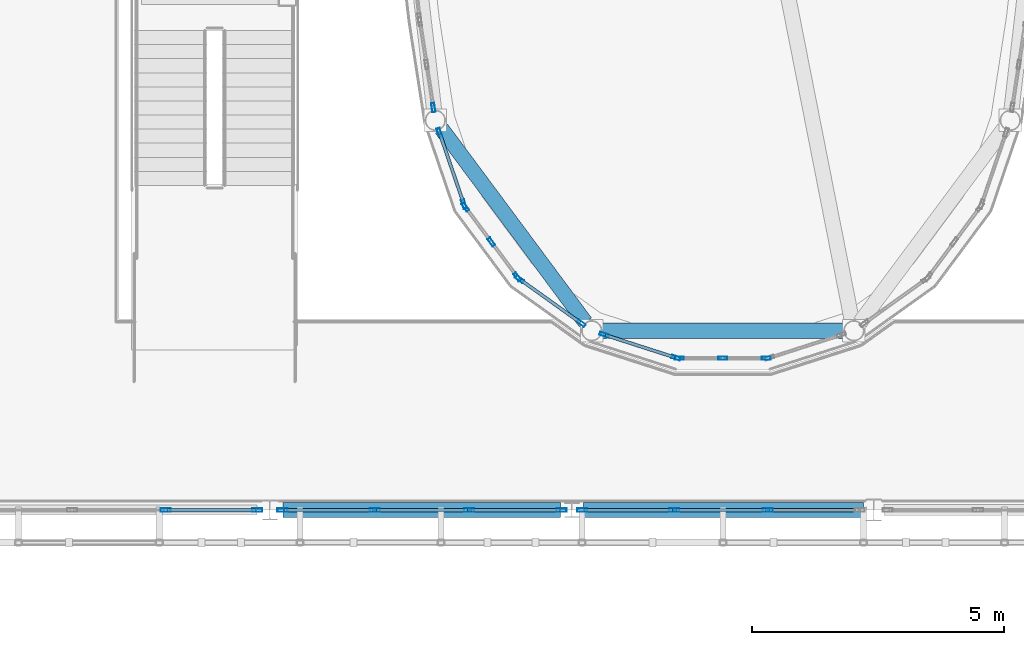
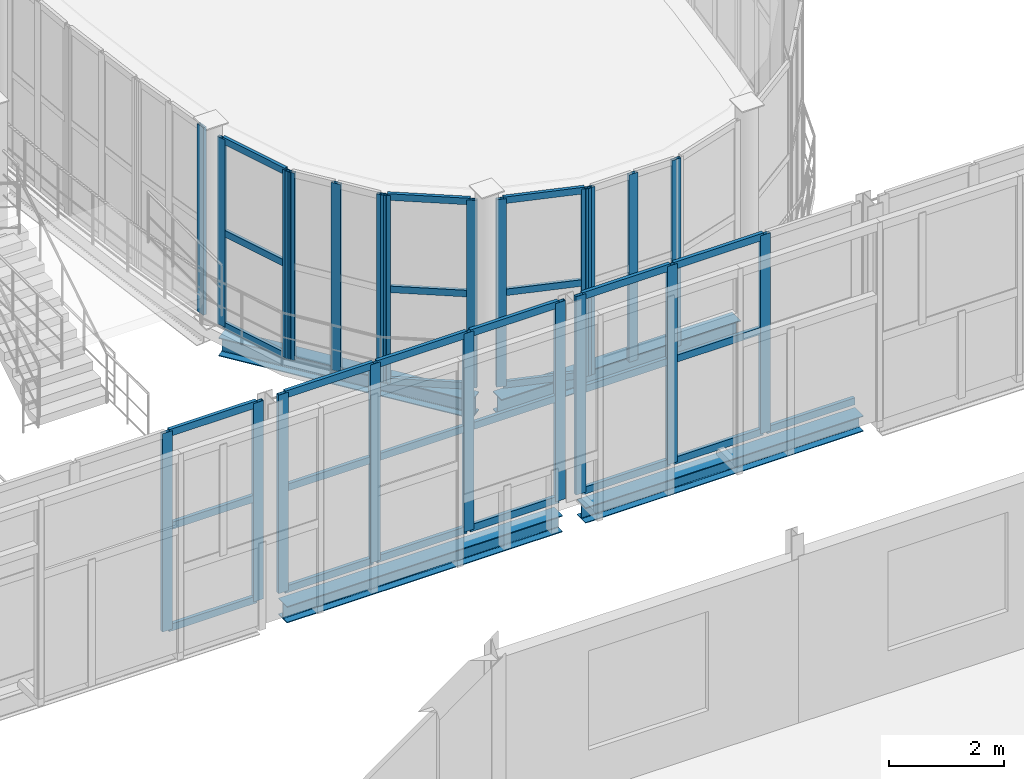
# One storey, part 32 of 121: 50 members, 4 beams, 9 elements without a shape of their own.
"""IFC4 building model written with IfcOpenShell, lengths in metres."""

from ifc_helpers import new_model, si_unit, direction, frame, origin, origin_2d, place, context, subcontext, project, spatial, hollow_rectangle, i_section, extrude, material, layer, layer_set, material_profile, profile_set, type_object, element, aggregate, save


model = new_model("IFC4")

# Units and contexts
model_context = context("Model", 3, precision=1e-05, world=origin(), true_north=direction((0.0, 1.0)))
body_context = subcontext(model_context, "Body", "Model", "MODEL_VIEW")
ifc_project = project(units=[si_unit("LENGTHUNIT", "METRE"), si_unit("AREAUNIT", "SQUARE_METRE"), si_unit("VOLUMEUNIT", "CUBIC_METRE"), si_unit("PLANEANGLEUNIT", "RADIAN"), si_unit("MASSUNIT", "GRAM", prefix="KILO")], contexts=[model_context])

# Site, building, storey
site_placement = place(None, origin())
site = spatial("IfcSite", under=ifc_project, at=site_placement, CompositionType="ELEMENT")
building_placement = place(site_placement, origin())
building = spatial("IfcBuilding", under=site, at=building_placement, Name="Vinh Khe Railworks Police Headquarters", CompositionType="ELEMENT")
storey_placement = place(building_placement, frame((0.0, 0.0, 4.800048828125)))
storey = spatial("IfcBuildingStorey", under=building, at=storey_placement, Name="L01", CompositionType="ELEMENT", Elevation=4.800048828125)

# Curtain wall, member
ifc_material_1 = material(Name="Anodised aluminium and acoustic laminated glass", Category="aluminium")
ifc_layer_1 = layer(ifc_material_1, 0.159912109375)
ifc_layer_set_1 = layer_set([ifc_layer_1], Name="Anodised aluminium and acoustic laminated glass")
curtain_wall_type_1 = type_object("IfcCurtainWallType", Name="CW-DRUM-CHORD", PredefinedType="USERDEFINED", material=ifc_layer_set_1)
curtain_wall_1_placement = place(storey_placement, origin())
curtain_wall_1 = element("IfcCurtainWall", 1, at=curtain_wall_1_placement, inside=storey, type_object=curtain_wall_type_1, Name="Elliptical Command Drum Glazing L01 Chord 27", ObjectType="DRUM FACADE GLAZING", PredefinedType="USERDEFINED")
ifc_material_2 = material(Name="Anodised aluminium 6063-T6", Category="aluminium")
ifc_material_profile_1 = material_profile(ifc_material_2, hollow_rectangle(XDim=0.06494140625, YDim=0.179931640625, WallThickness=0.0048828125, at=origin_2d()), Name="CW-M 65x180x5")
ifc_profile_set_1 = profile_set([ifc_material_profile_1], Name="Anodised aluminium 6063-T6")
member_type_1 = type_object("IfcMemberType", Name="MULL-CWM-02", PredefinedType="MULLION", material=ifc_profile_set_1)
member_1_placement = place(storey_placement, frame((37.44775390625, 33.19677734375, 0.0), z_axis=(0.0, 0.0, 1.0), x_axis=(0.988150267331, 0.153489573502, 0.0)))
member_1 = element("IfcMember", 2, at=member_1_placement, type_object=member_type_1, Name="CW-02 mullion 3", PredefinedType="MULLION", context=body_context, shape_type="SweptSolid", body=[
    extrude(hollow_rectangle(XDim=0.06494140625, YDim=0.179931640625, WallThickness=0.0048828125, at=origin_2d()), origin(), (0.0, 0.0, 1.0), 3.969970703125),
])
aggregate(curtain_wall_1, [member_1])

# Curtain wall, members
curtain_wall_2_placement = place(storey_placement, origin())
curtain_wall_2 = element("IfcCurtainWall", 3, at=curtain_wall_2_placement, inside=storey, type_object=curtain_wall_type_1, Name="Elliptical Command Drum Glazing L01 Chord 28", ObjectType="DRUM FACADE GLAZING", PredefinedType="USERDEFINED")
member_2_placement = place(storey_placement, frame((37.569580078125, 32.7021484375, 0.0), z_axis=(0.0, 0.0, 1.0), x_axis=(0.946484112141, 0.322750407381, 0.0)))
member_2 = element("IfcMember", 4, at=member_2_placement, type_object=member_type_1, Name="CW-02 mullion 1", PredefinedType="MULLION", context=body_context, shape_type="SweptSolid", body=[
    extrude(hollow_rectangle(XDim=0.06494140625, YDim=0.179931640625, WallThickness=0.0048828125, at=origin_2d()), origin(), (0.0, 0.0, 1.0), 3.969970703125),
])
member_3_placement = place(storey_placement, frame((38.055419921875, 31.27685546875, 0.0), z_axis=(0.0, 0.0, 1.0), x_axis=(0.946484112141, 0.322750407381, 0.0)))
member_3 = element("IfcMember", 5, at=member_3_placement, type_object=member_type_1, Name="CW-02 mullion 2", PredefinedType="MULLION", context=body_context, shape_type="SweptSolid", body=[
    extrude(hollow_rectangle(XDim=0.06494140625, YDim=0.179931640625, WallThickness=0.0048828125, at=origin_2d()), origin(), (0.0, 0.0, 1.0), 3.969970703125),
])

curtain_wall_3_placement = place(storey_placement, origin())
curtain_wall_3 = element("IfcCurtainWall", 6, at=curtain_wall_3_placement, inside=storey, type_object=curtain_wall_type_1, Name="Elliptical Command Drum Glazing L01 Chord 29", ObjectType="DRUM FACADE GLAZING", PredefinedType="USERDEFINED")
member_4_placement = place(storey_placement, frame((38.085205078125, 31.22021484375, 0.0), z_axis=(0.0, 0.0, 1.0), x_axis=(0.802591949394, 0.596528425784, 0.0)))
member_4 = element("IfcMember", 7, at=member_4_placement, type_object=member_type_1, Name="CW-02 mullion 1", PredefinedType="MULLION", context=body_context, shape_type="SweptSolid", body=[
    extrude(hollow_rectangle(XDim=0.06494140625, YDim=0.179931640625, WallThickness=0.0048828125, at=origin_2d()), origin(), (0.0, 0.0, 1.0), 3.969970703125),
])
member_5_placement = place(storey_placement, frame((38.60107421875, 30.5263671875, 0.0), z_axis=(0.0, 0.0, 1.0), x_axis=(0.802591949394, 0.596528425784, 0.0)))
member_5 = element("IfcMember", 8, at=member_5_placement, type_object=member_type_1, Name="CW-02 mullion 2", PredefinedType="MULLION", context=body_context, shape_type="SweptSolid", body=[
    extrude(hollow_rectangle(XDim=0.06494140625, YDim=0.179931640625, WallThickness=0.0048828125, at=origin_2d()), origin(), (0.0, 0.0, 1.0), 3.969970703125),
])
member_6_placement = place(storey_placement, frame((39.11669921875, 29.83251953125, 0.0), z_axis=(0.0, 0.0, 1.0), x_axis=(0.802591949394, 0.596528425784, 0.0)))
member_6 = element("IfcMember", 9, at=member_6_placement, type_object=member_type_1, Name="CW-02 mullion 3", PredefinedType="MULLION", context=body_context, shape_type="SweptSolid", body=[
    extrude(hollow_rectangle(XDim=0.06494140625, YDim=0.179931640625, WallThickness=0.0048828125, at=origin_2d()), origin(), (0.0, 0.0, 1.0), 3.969970703125),
])
aggregate(curtain_wall_3, [member_4, member_5, member_6])

curtain_wall_4_placement = place(storey_placement, origin())
curtain_wall_4 = element("IfcCurtainWall", 10, at=curtain_wall_4_placement, inside=storey, type_object=curtain_wall_type_1, Name="Elliptical Command Drum Glazing L01 Chord 30", ObjectType="DRUM FACADE GLAZING", PredefinedType="USERDEFINED")
member_7_placement = place(storey_placement, frame((39.162353515625, 29.78759765625, 0.0), z_axis=(0.0, 0.0, 1.0), x_axis=(0.581916726344, 0.813248377558, 0.0)))
member_7 = element("IfcMember", 11, at=member_7_placement, type_object=member_type_1, Name="CW-02 mullion 1", PredefinedType="MULLION", context=body_context, shape_type="SweptSolid", body=[
    extrude(hollow_rectangle(XDim=0.06494140625, YDim=0.179931640625, WallThickness=0.0048828125, at=origin_2d()), origin(), (0.0, 0.0, 1.0), 3.969970703125),
])
member_8_placement = place(storey_placement, frame((40.386962890625, 28.911376953125, 0.0), z_axis=(0.0, 0.0, 1.0), x_axis=(0.581916726344, 0.813248377558, 0.0)))
member_8 = element("IfcMember", 12, at=member_8_placement, type_object=member_type_1, Name="CW-02 mullion 2", PredefinedType="MULLION", context=body_context, shape_type="SweptSolid", body=[
    extrude(hollow_rectangle(XDim=0.06494140625, YDim=0.179931640625, WallThickness=0.0048828125, at=origin_2d()), origin(), (0.0, 0.0, 1.0), 3.969970703125),
])

curtain_wall_5_placement = place(storey_placement, origin())
curtain_wall_5 = element("IfcCurtainWall", 13, at=curtain_wall_5_placement, inside=storey, type_object=curtain_wall_type_1, Name="Elliptical Command Drum Glazing L01 Chord 31", ObjectType="DRUM FACADE GLAZING", PredefinedType="USERDEFINED")
member_9_placement = place(storey_placement, frame((40.83837890625, 28.684326171875, 0.0), z_axis=(0.0, 0.0, 1.0), x_axis=(0.305575348994, 0.952167898055, 0.0)))
member_9 = element("IfcMember", 14, at=member_9_placement, type_object=member_type_1, Name="CW-02 mullion 1", PredefinedType="MULLION", context=body_context, shape_type="SweptSolid", body=[
    extrude(hollow_rectangle(XDim=0.06494140625, YDim=0.179931640625, WallThickness=0.0048828125, at=origin_2d()), origin(), (0.0, 0.0, 1.0), 3.969970703125),
])
member_10_placement = place(storey_placement, frame((42.27197265625, 28.224365234375, 0.0), z_axis=(0.0, 0.0, 1.0), x_axis=(0.305575348994, 0.952167898055, 0.0)))
member_10 = element("IfcMember", 15, at=member_10_placement, type_object=member_type_1, Name="CW-02 mullion 2", PredefinedType="MULLION", context=body_context, shape_type="SweptSolid", body=[
    extrude(hollow_rectangle(XDim=0.06494140625, YDim=0.179931640625, WallThickness=0.0048828125, at=origin_2d()), origin(), (0.0, 0.0, 1.0), 3.969970703125),
])

curtain_wall_6_placement = place(storey_placement, origin())
curtain_wall_6 = element("IfcCurtainWall", 16, at=curtain_wall_6_placement, inside=storey, type_object=curtain_wall_type_1, Name="Elliptical Command Drum Glazing L01 Chord 32", ObjectType="DRUM FACADE GLAZING", PredefinedType="USERDEFINED")
member_11_placement = place(storey_placement, frame((42.33544921875, 28.21435546875, 0.0), z_axis=(0.0, 0.0, 1.0), x_axis=(0.0, 1.0, 0.0)))
member_11 = element("IfcMember", 17, at=member_11_placement, type_object=member_type_1, Name="CW-02 mullion 1", PredefinedType="MULLION", context=body_context, shape_type="SweptSolid", body=[
    extrude(hollow_rectangle(XDim=0.06494140625, YDim=0.179931640625, WallThickness=0.0048828125, at=origin_2d()), origin(), (0.0, 0.0, 1.0), 3.969970703125),
])
member_12_placement = place(storey_placement, frame((43.199951171875, 28.21435546875, 0.0), z_axis=(0.0, 0.0, 1.0), x_axis=(0.0, 1.0, 0.0)))
member_12 = element("IfcMember", 18, at=member_12_placement, type_object=member_type_1, Name="CW-02 mullion 2", PredefinedType="MULLION", context=body_context, shape_type="SweptSolid", body=[
    extrude(hollow_rectangle(XDim=0.06494140625, YDim=0.179931640625, WallThickness=0.0048828125, at=origin_2d()), origin(), (0.0, 0.0, 1.0), 3.969970703125),
])
member_13_placement = place(storey_placement, frame((44.064453125, 28.21435546875, 0.0), z_axis=(0.0, 0.0, 1.0), x_axis=(0.0, 1.0, 0.0)))
member_13 = element("IfcMember", 19, at=member_13_placement, type_object=member_type_1, Name="CW-02 mullion 3", PredefinedType="MULLION", context=body_context, shape_type="SweptSolid", body=[
    extrude(hollow_rectangle(XDim=0.06494140625, YDim=0.179931640625, WallThickness=0.0048828125, at=origin_2d()), origin(), (0.0, 0.0, 1.0), 3.969970703125),
])
aggregate(curtain_wall_6, [member_11, member_12, member_13])

ifc_material_3 = material(Name="Anodised aluminium and low-iron glass", Category="aluminium")
ifc_layer_2 = layer(ifc_material_3, 0.179931640625)
ifc_layer_set_2 = layer_set([ifc_layer_2], Name="Anodised aluminium and low-iron glass")
curtain_wall_type_2 = type_object("IfcCurtainWallType", Name="CW-CUBE-UNIT", PredefinedType="USERDEFINED", material=ifc_layer_set_2)
curtain_wall_7_placement = place(storey_placement, origin())
curtain_wall_7 = element("IfcCurtainWall", 20, at=curtain_wall_7_placement, inside=storey, type_object=curtain_wall_type_2, Name="Entrance Hall Curtain Wall L01 S-1", ObjectType="UNITISED GLAZING", PredefinedType="USERDEFINED")
ifc_material_profile_2 = material_profile(ifc_material_2, hollow_rectangle(XDim=0.070068359375, YDim=0.199951171875, WallThickness=0.0048828125, at=origin_2d()), Name="CW-M 70x200x5")
ifc_profile_set_2 = profile_set([ifc_material_profile_2], Name="Anodised aluminium 6063-T6")
member_type_2 = type_object("IfcMemberType", Name="MULL-CWM-03", PredefinedType="MULLION", material=ifc_profile_set_2)
member_14_placement = place(storey_placement, frame((32.126220703125, 25.199951171875, 0.0), z_axis=(0.0, 0.0, 1.0), x_axis=(0.0, 1.0, 0.0)))
member_14 = element("IfcMember", 21, at=member_14_placement, type_object=member_type_2, Name="CW-01 mullion 4", PredefinedType="MULLION", context=body_context, shape_type="SweptSolid", body=[
    extrude(hollow_rectangle(XDim=0.070068359375, YDim=0.199951171875, WallThickness=0.0048828125, at=origin_2d()), origin(), (0.0, 0.0, 1.0), 4.199951171875),
])
member_15_placement = place(storey_placement, frame((33.949951171875, 25.199951171875, 0.0), z_axis=(0.0, 0.0, 1.0), x_axis=(0.0, 1.0, 0.0)))
member_15 = element("IfcMember", 22, at=member_15_placement, type_object=member_type_2, Name="CW-01 mullion 5", PredefinedType="MULLION", context=body_context, shape_type="SweptSolid", body=[
    extrude(hollow_rectangle(XDim=0.070068359375, YDim=0.199951171875, WallThickness=0.0048828125, at=origin_2d()), origin(), (0.0, 0.0, 1.0), 4.199951171875),
])

curtain_wall_8_placement = place(storey_placement, origin())
curtain_wall_8 = element("IfcCurtainWall", 23, at=curtain_wall_8_placement, inside=storey, type_object=curtain_wall_type_2, Name="Entrance Hall Curtain Wall L01 S-2", ObjectType="UNITISED GLAZING", PredefinedType="USERDEFINED")
member_16_placement = place(storey_placement, frame((34.449951171875, 25.199951171875, 0.0), z_axis=(0.0, 0.0, 1.0), x_axis=(0.0, 1.0, 0.0)))
member_16 = element("IfcMember", 24, at=member_16_placement, type_object=member_type_2, Name="CW-01 mullion 1", PredefinedType="MULLION", context=body_context, shape_type="SweptSolid", body=[
    extrude(hollow_rectangle(XDim=0.070068359375, YDim=0.199951171875, WallThickness=0.0048828125, at=origin_2d()), origin(), (0.0, 0.0, 1.0), 4.199951171875),
])
member_17_placement = place(storey_placement, frame((36.28662109375, 25.199951171875, 0.0), z_axis=(0.0, 0.0, 1.0), x_axis=(0.0, 1.0, 0.0)))
member_17 = element("IfcMember", 25, at=member_17_placement, type_object=member_type_2, Name="CW-01 mullion 2", PredefinedType="MULLION", context=body_context, shape_type="SweptSolid", body=[
    extrude(hollow_rectangle(XDim=0.070068359375, YDim=0.199951171875, WallThickness=0.0048828125, at=origin_2d()), origin(), (0.0, 0.0, 1.0), 4.199951171875),
])
member_18_placement = place(storey_placement, frame((38.158447265625, 25.199951171875, 0.0), z_axis=(0.0, 0.0, 1.0), x_axis=(0.0, 1.0, 0.0)))
member_18 = element("IfcMember", 26, at=member_18_placement, type_object=member_type_2, Name="CW-01 mullion 3", PredefinedType="MULLION", context=body_context, shape_type="SweptSolid", body=[
    extrude(hollow_rectangle(XDim=0.070068359375, YDim=0.199951171875, WallThickness=0.0048828125, at=origin_2d()), origin(), (0.0, 0.0, 1.0), 4.199951171875),
])
member_19_placement = place(storey_placement, frame((39.9951171875, 25.199951171875, 0.0), z_axis=(0.0, 0.0, 1.0), x_axis=(0.0, 1.0, 0.0)))
member_19 = element("IfcMember", 27, at=member_19_placement, type_object=member_type_2, Name="CW-01 mullion 4", PredefinedType="MULLION", context=body_context, shape_type="SweptSolid", body=[
    extrude(hollow_rectangle(XDim=0.070068359375, YDim=0.199951171875, WallThickness=0.0048828125, at=origin_2d()), origin(), (0.0, 0.0, 1.0), 4.199951171875),
])

curtain_wall_9_placement = place(storey_placement, origin())
curtain_wall_9 = element("IfcCurtainWall", 28, at=curtain_wall_9_placement, inside=storey, type_object=curtain_wall_type_2, Name="Entrance Hall Curtain Wall L01 S-3", ObjectType="UNITISED GLAZING", PredefinedType="USERDEFINED")
member_20_placement = place(storey_placement, frame((40.405029296875, 25.199951171875, 0.0), z_axis=(0.0, 0.0, 1.0), x_axis=(0.0, 1.0, 0.0)))
member_20 = element("IfcMember", 29, at=member_20_placement, type_object=member_type_2, Name="CW-01 mullion 1", PredefinedType="MULLION", context=body_context, shape_type="SweptSolid", body=[
    extrude(hollow_rectangle(XDim=0.070068359375, YDim=0.199951171875, WallThickness=0.0048828125, at=origin_2d()), origin(), (0.0, 0.0, 1.0), 4.199951171875),
])
member_21_placement = place(storey_placement, frame((42.2333984375, 25.199951171875, 0.0), z_axis=(0.0, 0.0, 1.0), x_axis=(0.0, 1.0, 0.0)))
member_21 = element("IfcMember", 30, at=member_21_placement, type_object=member_type_2, Name="CW-01 mullion 2", PredefinedType="MULLION", context=body_context, shape_type="SweptSolid", body=[
    extrude(hollow_rectangle(XDim=0.070068359375, YDim=0.199951171875, WallThickness=0.0048828125, at=origin_2d()), origin(), (0.0, 0.0, 1.0), 4.199951171875),
])
member_22_placement = place(storey_placement, frame((44.0966796875, 25.199951171875, 0.0), z_axis=(0.0, 0.0, 1.0), x_axis=(0.0, 1.0, 0.0)))
member_22 = element("IfcMember", 31, at=member_22_placement, type_object=member_type_2, Name="CW-01 mullion 3", PredefinedType="MULLION", context=body_context, shape_type="SweptSolid", body=[
    extrude(hollow_rectangle(XDim=0.070068359375, YDim=0.199951171875, WallThickness=0.0048828125, at=origin_2d()), origin(), (0.0, 0.0, 1.0), 4.199951171875),
])

# Beams
ifc_material_4 = material(Name="Steel S355JR", Category="steel")
ifc_material_profile_3 = material_profile(ifc_material_4, i_section(OverallWidth=0.300048828125, OverallDepth=0.330078125, WebThickness=0.009521484375, FlangeThickness=0.0166015625, FilletRadius=0.027099609375, at=origin_2d()), Name="HEA 340")
ifc_profile_set_3 = profile_set([ifc_material_profile_3], Name="Steel S355JR")
beam_type_1 = type_object("IfcBeamType", Name="Steel Girder HEA 340", PredefinedType="BEAM", material=ifc_profile_set_3)
beam_1_placement = place(storey_placement, frame((40.429931640625, 25.199951171875, -0.405029296875), z_axis=(1.0, 0.0, 0.0), x_axis=(0.0, 1.0, 0.0)))
element("IfcBeam", 32, at=beam_1_placement, inside=storey, type_object=beam_type_1, Name="Girder BM-L01-EW-SB-16-0440", PredefinedType="BEAM", context=body_context, shape_type="SweptSolid", body=[
    extrude(i_section(OverallWidth=0.300048828125, OverallDepth=0.330078125, WebThickness=0.009521484375, FlangeThickness=0.0166015625, FilletRadius=0.027099609375, at=origin_2d()), origin(), (0.0, 0.0, 1.0), 5.565185546875),
])
ifc_material_profile_4 = material_profile(ifc_material_4, i_section(OverallWidth=0.300048828125, OverallDepth=0.35009765625, WebThickness=0.010009765625, FlangeThickness=0.017578125, FilletRadius=0.027099609375, at=origin_2d()), Name="HEA 360")
ifc_profile_set_4 = profile_set([ifc_material_profile_4], Name="Steel S355JR")
beam_type_2 = type_object("IfcBeamType", Name="Steel Girder HEA 360", PredefinedType="BEAM", material=ifc_profile_set_4)
beam_2_placement = place(storey_placement, frame((34.455078125, 25.199951171875, -0.4150390625), z_axis=(1.0, 0.0, 0.0), x_axis=(0.0, 1.0, 0.0)))
element("IfcBeam", 33, at=beam_2_placement, inside=storey, type_object=beam_type_2, Name="Girder BM-L01-EW-SB-15-0439", PredefinedType="BEAM", context=body_context, shape_type="SweptSolid", body=[
    extrude(i_section(OverallWidth=0.300048828125, OverallDepth=0.35009765625, WebThickness=0.010009765625, FlangeThickness=0.017578125, FilletRadius=0.027099609375, at=origin_2d()), origin(), (0.0, 0.0, 1.0), 5.514892578125),
])
ifc_material_profile_5 = material_profile(ifc_material_4, i_section(OverallWidth=0.300048828125, OverallDepth=0.389892578125, WebThickness=0.010986328125, FlangeThickness=0.01904296875, FilletRadius=0.027099609375, at=origin_2d()), Name="HEA 400")
ifc_profile_set_5 = profile_set([ifc_material_profile_5], Name="Steel S355JR")
beam_type_3 = type_object("IfcBeamType", Name="Steel Girder HEA 400", PredefinedType="BEAM", material=ifc_profile_set_5)
for number, where, z_axis, x_axis, name in (
    (34, (37.611328125, 32.77685546875, -0.43505859375), (0.596489973406, -0.802620527788, 0.0), (0.802620527788, 0.596489973406, 0.0), "Drum Ring Girder BM-L01-DRUM-SB-14-0716"),
    (35, (40.803466796875, 28.762451171875, -0.43505859375), (1.0, 0.0, 0.0), (0.0, 1.0, 0.0), "Drum Ring Girder BM-L01-DRUM-SB-14-0717"),
):
    element("IfcBeam", number, at=place(storey_placement, frame(where, z_axis=z_axis, x_axis=x_axis)), inside=storey, type_object=beam_type_3, Name=name, PredefinedType="BEAM", context=body_context, shape_type="SweptSolid", body=[
        extrude(i_section(OverallWidth=0.300048828125, OverallDepth=0.389892578125, WebThickness=0.010986328125, FlangeThickness=0.01904296875, FilletRadius=0.027099609375, at=origin_2d()), origin(), (0.0, 0.0, 1.0), 4.793212890625),
    ])

# Member
ifc_material_profile_6 = material_profile(ifc_material_2, hollow_rectangle(XDim=0.06494140625, YDim=0.139892578125, WallThickness=0.00390625, at=origin_2d()), Name="CW-T 65x140x4")
ifc_profile_set_6 = profile_set([ifc_material_profile_6], Name="Anodised aluminium 6063-T6")
member_type_3 = type_object("IfcMemberType", Name="TRAN-CWT-02", PredefinedType="USERDEFINED", material=ifc_profile_set_6)
member_23_placement = place(storey_placement, frame((37.579833984375, 32.67138671875, 0.032470703125), z_axis=(0.322777422757, -0.946474899487, 0.0), x_axis=(0.946474899487, 0.322777422757, 0.0)))
member_23 = element("IfcMember", 36, at=member_23_placement, type_object=member_type_3, Name="CW-02 transom 1.1", ObjectType="TRANSOM", PredefinedType="USERDEFINED", context=body_context, shape_type="SweptSolid", body=[
    extrude(hollow_rectangle(XDim=0.06494140625, YDim=0.139892578125, WallThickness=0.00390625, at=origin_2d()), origin(), (0.0, 0.0, 1.0), 1.44091796875),
])

member_24_placement = place(storey_placement, frame((37.579833984375, 32.67138671875, 1.98486328125), z_axis=(0.322777422757, -0.946474899487, 0.0), x_axis=(0.946474899487, 0.322777422757, 0.0)))
member_24 = element("IfcMember", 37, at=member_24_placement, type_object=member_type_3, Name="CW-02 transom 1.2", ObjectType="TRANSOM", PredefinedType="USERDEFINED", context=body_context, shape_type="SweptSolid", body=[
    extrude(hollow_rectangle(XDim=0.06494140625, YDim=0.139892578125, WallThickness=0.00390625, at=origin_2d()), origin(), (0.0, 0.0, 1.0), 1.44091796875),
])

member_25_placement = place(storey_placement, frame((37.579833984375, 32.67138671875, 3.9375), z_axis=(0.322777422757, -0.946474899487, 0.0), x_axis=(0.946474899487, 0.322777422757, 0.0)))
member_25 = element("IfcMember", 38, at=member_25_placement, type_object=member_type_3, Name="CW-02 transom 1.3", ObjectType="TRANSOM", PredefinedType="USERDEFINED", context=body_context, shape_type="SweptSolid", body=[
    extrude(hollow_rectangle(XDim=0.06494140625, YDim=0.139892578125, WallThickness=0.00390625, at=origin_2d()), origin(), (0.0, 0.0, 1.0), 1.44091796875),
])

aggregate(curtain_wall_2, [member_2, member_3, member_23, member_24, member_25])

member_26_placement = place(storey_placement, frame((39.18896484375, 29.7685546875, 0.032470703125), z_axis=(0.813240827881, -0.581927277129, 0.0), x_axis=(0.581927277129, 0.813240827881, 0.0)))
member_26 = element("IfcMember", 39, at=member_26_placement, type_object=member_type_3, Name="CW-02 transom 1.1", ObjectType="TRANSOM", PredefinedType="USERDEFINED", context=body_context, shape_type="SweptSolid", body=[
    extrude(hollow_rectangle(XDim=0.06494140625, YDim=0.139892578125, WallThickness=0.00390625, at=origin_2d()), origin(), (0.0, 0.0, 1.0), 1.440673828125),
])

member_27_placement = place(storey_placement, frame((39.18896484375, 29.7685546875, 1.98486328125), z_axis=(0.813240827881, -0.581927277129, 0.0), x_axis=(0.581927277129, 0.813240827881, 0.0)))
member_27 = element("IfcMember", 40, at=member_27_placement, type_object=member_type_3, Name="CW-02 transom 1.2", ObjectType="TRANSOM", PredefinedType="USERDEFINED", context=body_context, shape_type="SweptSolid", body=[
    extrude(hollow_rectangle(XDim=0.06494140625, YDim=0.139892578125, WallThickness=0.00390625, at=origin_2d()), origin(), (0.0, 0.0, 1.0), 1.440673828125),
])

member_28_placement = place(storey_placement, frame((39.18896484375, 29.7685546875, 3.9375), z_axis=(0.813240827881, -0.581927277129, 0.0), x_axis=(0.581927277129, 0.813240827881, 0.0)))
member_28 = element("IfcMember", 41, at=member_28_placement, type_object=member_type_3, Name="CW-02 transom 1.3", ObjectType="TRANSOM", PredefinedType="USERDEFINED", context=body_context, shape_type="SweptSolid", body=[
    extrude(hollow_rectangle(XDim=0.06494140625, YDim=0.139892578125, WallThickness=0.00390625, at=origin_2d()), origin(), (0.0, 0.0, 1.0), 1.440673828125),
])

aggregate(curtain_wall_4, [member_7, member_8, member_26, member_27, member_28])

member_29_placement = place(storey_placement, frame((40.869384765625, 28.674560546875, 0.032470703125), z_axis=(0.952132526267, -0.305685545005, 0.0), x_axis=(0.305685545005, 0.952132526267, 0.0)))
member_29 = element("IfcMember", 42, at=member_29_placement, type_object=member_type_3, Name="CW-02 transom 1.1", ObjectType="TRANSOM", PredefinedType="USERDEFINED", context=body_context, shape_type="SweptSolid", body=[
    extrude(hollow_rectangle(XDim=0.06494140625, YDim=0.139892578125, WallThickness=0.00390625, at=origin_2d()), origin(), (0.0, 0.0, 1.0), 1.440673828125),
])

member_30_placement = place(storey_placement, frame((40.869384765625, 28.674560546875, 1.98486328125), z_axis=(0.952132526267, -0.305685545005, 0.0), x_axis=(0.305685545005, 0.952132526267, 0.0)))
member_30 = element("IfcMember", 43, at=member_30_placement, type_object=member_type_3, Name="CW-02 transom 1.2", ObjectType="TRANSOM", PredefinedType="USERDEFINED", context=body_context, shape_type="SweptSolid", body=[
    extrude(hollow_rectangle(XDim=0.06494140625, YDim=0.139892578125, WallThickness=0.00390625, at=origin_2d()), origin(), (0.0, 0.0, 1.0), 1.440673828125),
])

member_31_placement = place(storey_placement, frame((40.869384765625, 28.674560546875, 3.9375), z_axis=(0.952132526267, -0.305685545005, 0.0), x_axis=(0.305685545005, 0.952132526267, 0.0)))
member_31 = element("IfcMember", 44, at=member_31_placement, type_object=member_type_3, Name="CW-02 transom 1.3", ObjectType="TRANSOM", PredefinedType="USERDEFINED", context=body_context, shape_type="SweptSolid", body=[
    extrude(hollow_rectangle(XDim=0.06494140625, YDim=0.139892578125, WallThickness=0.00390625, at=origin_2d()), origin(), (0.0, 0.0, 1.0), 1.440673828125),
])

aggregate(curtain_wall_5, [member_9, member_10, member_29, member_30, member_31])

ifc_material_profile_7 = material_profile(ifc_material_2, hollow_rectangle(XDim=0.070068359375, YDim=0.14990234375, WallThickness=0.0048828125, at=origin_2d()), Name="CW-T 70x150x5")
ifc_profile_set_7 = profile_set([ifc_material_profile_7], Name="Anodised aluminium 6063-T6")
member_type_4 = type_object("IfcMemberType", Name="TRAN-CWT-03", PredefinedType="USERDEFINED", material=ifc_profile_set_7)
member_32_placement = place(storey_placement, frame((32.1611328125, 25.199951171875, 0.034912109375), z_axis=(1.0, 0.0, 0.0), x_axis=(0.0, 1.0, 0.0)))
member_32 = element("IfcMember", 45, at=member_32_placement, type_object=member_type_4, Name="CW-01 transom 4.1", ObjectType="TRANSOM", PredefinedType="USERDEFINED", context=body_context, shape_type="SweptSolid", body=[
    extrude(hollow_rectangle(XDim=0.070068359375, YDim=0.14990234375, WallThickness=0.0048828125, at=origin_2d()), origin(), (0.0, 0.0, 1.0), 1.75390625),
])

member_33_placement = place(storey_placement, frame((32.1611328125, 25.199951171875, 2.183837890625), z_axis=(1.0, 0.0, 0.0), x_axis=(0.0, 1.0, 0.0)))
member_33 = element("IfcMember", 46, at=member_33_placement, type_object=member_type_4, Name="CW-01 transom 4.2", ObjectType="TRANSOM", PredefinedType="USERDEFINED", context=body_context, shape_type="SweptSolid", body=[
    extrude(hollow_rectangle(XDim=0.070068359375, YDim=0.14990234375, WallThickness=0.0048828125, at=origin_2d()), origin(), (0.0, 0.0, 1.0), 1.75390625),
])

member_34_placement = place(storey_placement, frame((32.1611328125, 25.199951171875, 4.1650390625), z_axis=(1.0, 0.0, 0.0), x_axis=(0.0, 1.0, 0.0)))
member_34 = element("IfcMember", 47, at=member_34_placement, type_object=member_type_4, Name="CW-01 transom 4.3", ObjectType="TRANSOM", PredefinedType="USERDEFINED", context=body_context, shape_type="SweptSolid", body=[
    extrude(hollow_rectangle(XDim=0.070068359375, YDim=0.14990234375, WallThickness=0.0048828125, at=origin_2d()), origin(), (0.0, 0.0, 1.0), 1.75390625),
])

aggregate(curtain_wall_7, [member_14, member_15, member_32, member_33, member_34])

member_35_placement = place(storey_placement, frame((34.485107421875, 25.199951171875, 0.034912109375), z_axis=(1.0, 0.0, 0.0), x_axis=(0.0, 1.0, 0.0)))
member_35 = element("IfcMember", 48, at=member_35_placement, type_object=member_type_4, Name="CW-01 transom 1.1", ObjectType="TRANSOM", PredefinedType="USERDEFINED", context=body_context, shape_type="SweptSolid", body=[
    extrude(hollow_rectangle(XDim=0.070068359375, YDim=0.14990234375, WallThickness=0.0048828125, at=origin_2d()), origin(), (0.0, 0.0, 1.0), 1.7666015625),
])

member_36_placement = place(storey_placement, frame((34.485107421875, 25.199951171875, 2.183837890625), z_axis=(1.0, 0.0, 0.0), x_axis=(0.0, 1.0, 0.0)))
member_36 = element("IfcMember", 49, at=member_36_placement, type_object=member_type_4, Name="CW-01 transom 1.2", ObjectType="TRANSOM", PredefinedType="USERDEFINED", context=body_context, shape_type="SweptSolid", body=[
    extrude(hollow_rectangle(XDim=0.070068359375, YDim=0.14990234375, WallThickness=0.0048828125, at=origin_2d()), origin(), (0.0, 0.0, 1.0), 1.7666015625),
])

member_37_placement = place(storey_placement, frame((34.485107421875, 25.199951171875, 4.1650390625), z_axis=(1.0, 0.0, 0.0), x_axis=(0.0, 1.0, 0.0)))
member_37 = element("IfcMember", 50, at=member_37_placement, type_object=member_type_4, Name="CW-01 transom 1.3", ObjectType="TRANSOM", PredefinedType="USERDEFINED", context=body_context, shape_type="SweptSolid", body=[
    extrude(hollow_rectangle(XDim=0.070068359375, YDim=0.14990234375, WallThickness=0.0048828125, at=origin_2d()), origin(), (0.0, 0.0, 1.0), 1.7666015625),
])

member_38_placement = place(storey_placement, frame((36.32177734375, 25.199951171875, 0.034912109375), z_axis=(1.0, 0.0, 0.0), x_axis=(0.0, 1.0, 0.0)))
member_38 = element("IfcMember", 51, at=member_38_placement, type_object=member_type_4, Name="CW-01 transom 2.1", ObjectType="TRANSOM", PredefinedType="USERDEFINED", context=body_context, shape_type="SweptSolid", body=[
    extrude(hollow_rectangle(XDim=0.070068359375, YDim=0.14990234375, WallThickness=0.0048828125, at=origin_2d()), origin(), (0.0, 0.0, 1.0), 1.801513671875),
])

member_39_placement = place(storey_placement, frame((36.32177734375, 25.199951171875, 2.183837890625), z_axis=(1.0, 0.0, 0.0), x_axis=(0.0, 1.0, 0.0)))
member_39 = element("IfcMember", 52, at=member_39_placement, type_object=member_type_4, Name="CW-01 transom 2.2", ObjectType="TRANSOM", PredefinedType="USERDEFINED", context=body_context, shape_type="SweptSolid", body=[
    extrude(hollow_rectangle(XDim=0.070068359375, YDim=0.14990234375, WallThickness=0.0048828125, at=origin_2d()), origin(), (0.0, 0.0, 1.0), 1.801513671875),
])

member_40_placement = place(storey_placement, frame((36.32177734375, 25.199951171875, 4.1650390625), z_axis=(1.0, 0.0, 0.0), x_axis=(0.0, 1.0, 0.0)))
member_40 = element("IfcMember", 53, at=member_40_placement, type_object=member_type_4, Name="CW-01 transom 2.3", ObjectType="TRANSOM", PredefinedType="USERDEFINED", context=body_context, shape_type="SweptSolid", body=[
    extrude(hollow_rectangle(XDim=0.070068359375, YDim=0.14990234375, WallThickness=0.0048828125, at=origin_2d()), origin(), (0.0, 0.0, 1.0), 1.801513671875),
])

member_41_placement = place(storey_placement, frame((38.193359375, 25.199951171875, 0.034912109375), z_axis=(1.0, 0.0, 0.0), x_axis=(0.0, 1.0, 0.0)))
member_41 = element("IfcMember", 54, at=member_41_placement, type_object=member_type_4, Name="CW-01 transom 3.1", ObjectType="TRANSOM", PredefinedType="USERDEFINED", context=body_context, shape_type="SweptSolid", body=[
    extrude(hollow_rectangle(XDim=0.070068359375, YDim=0.14990234375, WallThickness=0.0048828125, at=origin_2d()), origin(), (0.0, 0.0, 1.0), 1.7666015625),
])

member_42_placement = place(storey_placement, frame((38.193359375, 25.199951171875, 2.183837890625), z_axis=(1.0, 0.0, 0.0), x_axis=(0.0, 1.0, 0.0)))
member_42 = element("IfcMember", 55, at=member_42_placement, type_object=member_type_4, Name="CW-01 transom 3.2", ObjectType="TRANSOM", PredefinedType="USERDEFINED", context=body_context, shape_type="SweptSolid", body=[
    extrude(hollow_rectangle(XDim=0.070068359375, YDim=0.14990234375, WallThickness=0.0048828125, at=origin_2d()), origin(), (0.0, 0.0, 1.0), 1.7666015625),
])

member_43_placement = place(storey_placement, frame((38.193359375, 25.199951171875, 4.1650390625), z_axis=(1.0, 0.0, 0.0), x_axis=(0.0, 1.0, 0.0)))
member_43 = element("IfcMember", 56, at=member_43_placement, type_object=member_type_4, Name="CW-01 transom 3.3", ObjectType="TRANSOM", PredefinedType="USERDEFINED", context=body_context, shape_type="SweptSolid", body=[
    extrude(hollow_rectangle(XDim=0.070068359375, YDim=0.14990234375, WallThickness=0.0048828125, at=origin_2d()), origin(), (0.0, 0.0, 1.0), 1.7666015625),
])

aggregate(curtain_wall_8, [member_16, member_17, member_18, member_19, member_35, member_36, member_37, member_38, member_39, member_40, member_41, member_42, member_43])

member_44_placement = place(storey_placement, frame((40.43994140625, 25.199951171875, 0.034912109375), z_axis=(1.0, 0.0, 0.0), x_axis=(0.0, 1.0, 0.0)))
member_44 = element("IfcMember", 57, at=member_44_placement, type_object=member_type_4, Name="CW-01 transom 1.1", ObjectType="TRANSOM", PredefinedType="USERDEFINED", context=body_context, shape_type="SweptSolid", body=[
    extrude(hollow_rectangle(XDim=0.070068359375, YDim=0.14990234375, WallThickness=0.0048828125, at=origin_2d()), origin(), (0.0, 0.0, 1.0), 1.75830078125),
])

member_45_placement = place(storey_placement, frame((40.43994140625, 25.199951171875, 2.183837890625), z_axis=(1.0, 0.0, 0.0), x_axis=(0.0, 1.0, 0.0)))
member_45 = element("IfcMember", 58, at=member_45_placement, type_object=member_type_4, Name="CW-01 transom 1.2", ObjectType="TRANSOM", PredefinedType="USERDEFINED", context=body_context, shape_type="SweptSolid", body=[
    extrude(hollow_rectangle(XDim=0.070068359375, YDim=0.14990234375, WallThickness=0.0048828125, at=origin_2d()), origin(), (0.0, 0.0, 1.0), 1.75830078125),
])

member_46_placement = place(storey_placement, frame((40.43994140625, 25.199951171875, 4.1650390625), z_axis=(1.0, 0.0, 0.0), x_axis=(0.0, 1.0, 0.0)))
member_46 = element("IfcMember", 59, at=member_46_placement, type_object=member_type_4, Name="CW-01 transom 1.3", ObjectType="TRANSOM", PredefinedType="USERDEFINED", context=body_context, shape_type="SweptSolid", body=[
    extrude(hollow_rectangle(XDim=0.070068359375, YDim=0.14990234375, WallThickness=0.0048828125, at=origin_2d()), origin(), (0.0, 0.0, 1.0), 1.75830078125),
])

member_47_placement = place(storey_placement, frame((42.268310546875, 25.199951171875, 0.034912109375), z_axis=(1.0, 0.0, 0.0), x_axis=(0.0, 1.0, 0.0)))
member_47 = element("IfcMember", 60, at=member_47_placement, type_object=member_type_4, Name="CW-01 transom 2.1", ObjectType="TRANSOM", PredefinedType="USERDEFINED", context=body_context, shape_type="SweptSolid", body=[
    extrude(hollow_rectangle(XDim=0.070068359375, YDim=0.14990234375, WallThickness=0.0048828125, at=origin_2d()), origin(), (0.0, 0.0, 1.0), 1.79345703125),
])

member_48_placement = place(storey_placement, frame((42.268310546875, 25.199951171875, 2.183837890625), z_axis=(1.0, 0.0, 0.0), x_axis=(0.0, 1.0, 0.0)))
member_48 = element("IfcMember", 61, at=member_48_placement, type_object=member_type_4, Name="CW-01 transom 2.2", ObjectType="TRANSOM", PredefinedType="USERDEFINED", context=body_context, shape_type="SweptSolid", body=[
    extrude(hollow_rectangle(XDim=0.070068359375, YDim=0.14990234375, WallThickness=0.0048828125, at=origin_2d()), origin(), (0.0, 0.0, 1.0), 1.79345703125),
])

member_49_placement = place(storey_placement, frame((42.268310546875, 25.199951171875, 4.1650390625), z_axis=(1.0, 0.0, 0.0), x_axis=(0.0, 1.0, 0.0)))
member_49 = element("IfcMember", 62, at=member_49_placement, type_object=member_type_4, Name="CW-01 transom 2.3", ObjectType="TRANSOM", PredefinedType="USERDEFINED", context=body_context, shape_type="SweptSolid", body=[
    extrude(hollow_rectangle(XDim=0.070068359375, YDim=0.14990234375, WallThickness=0.0048828125, at=origin_2d()), origin(), (0.0, 0.0, 1.0), 1.79345703125),
])

member_50_placement = place(storey_placement, frame((44.131591796875, 25.199951171875, 0.034912109375), z_axis=(1.0, 0.0, 0.0), x_axis=(0.0, 1.0, 0.0)))
member_50 = element("IfcMember", 63, at=member_50_placement, type_object=member_type_4, Name="CW-01 transom 3.1", ObjectType="TRANSOM", PredefinedType="USERDEFINED", context=body_context, shape_type="SweptSolid", body=[
    extrude(hollow_rectangle(XDim=0.070068359375, YDim=0.14990234375, WallThickness=0.0048828125, at=origin_2d()), origin(), (0.0, 0.0, 1.0), 1.75830078125),
])

aggregate(curtain_wall_9, [member_20, member_21, member_22, member_44, member_45, member_46, member_47, member_48, member_49, member_50])

save(model, "model.ifc")
